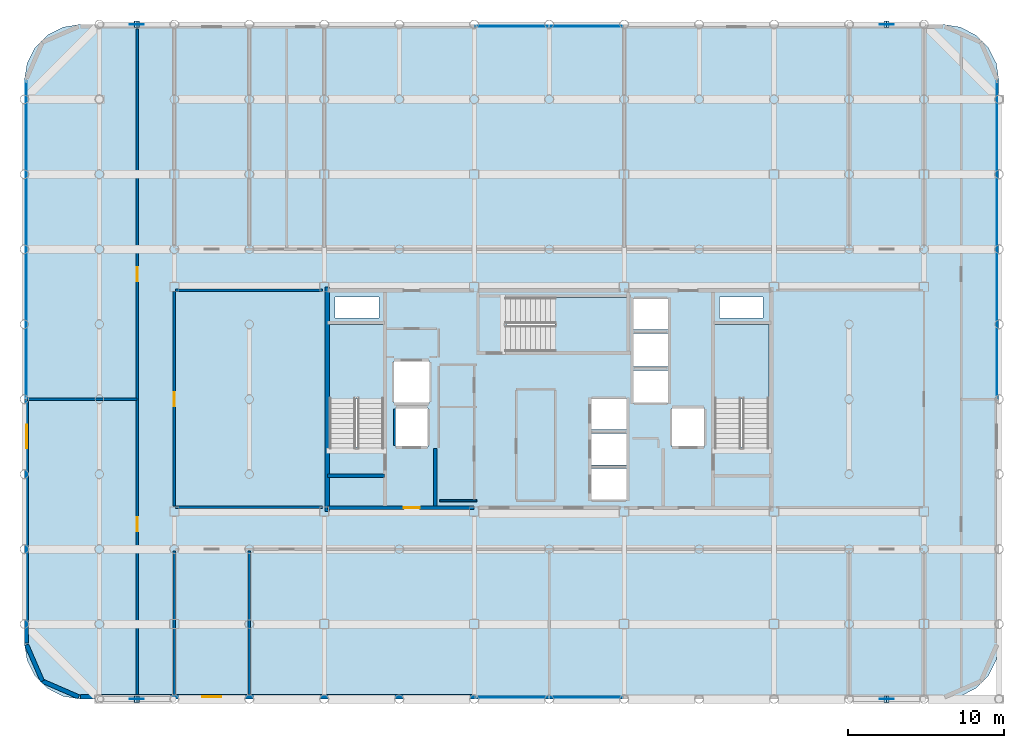
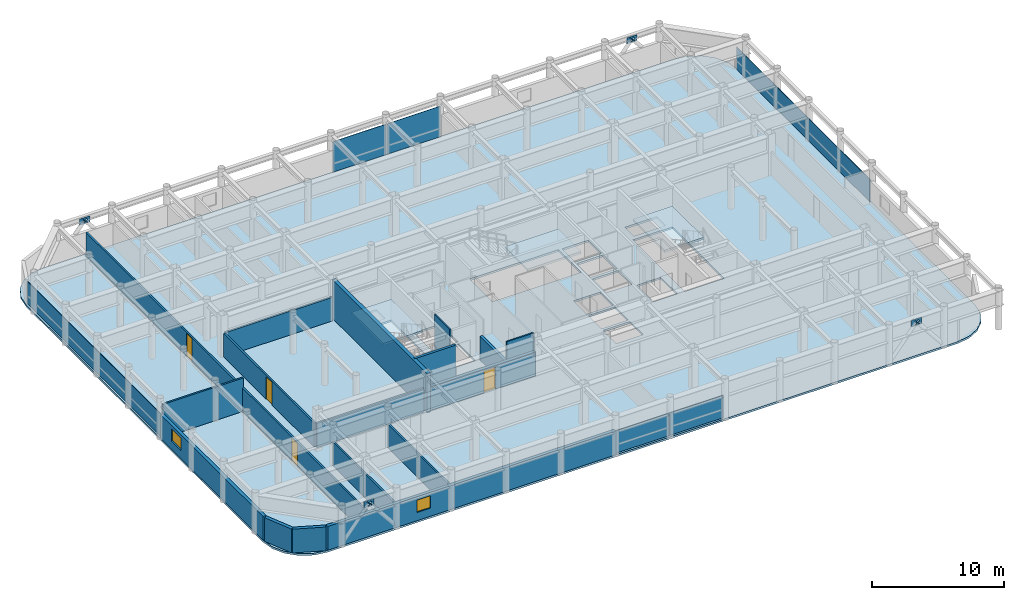
# One storey, part 17 of 21: 18 plates, 17 walls, 4 doors, 4 slabs, 2 windows, 6 openings, 7 elements without a shape of their own.
"""IFC4 building model written with IfcOpenShell, lengths in metres."""

from ifc_helpers import new_model, si_unit, direction, frame, frame_2d, origin, origin_2d, place, context, subcontext, project, spatial, polyline, rectangle, outline, extrude, material, layer, layer_set, type_object, element, fill, aggregate, save


model = new_model("IFC4")

# Units and contexts
model_context = context("Model", 3, precision=1e-05, world=origin(), true_north=direction((0.0, 1.0)))
body_context = subcontext(model_context, "Body", "Model", "MODEL_VIEW")
ifc_project = project(units=[si_unit("LENGTHUNIT", "METRE"), si_unit("AREAUNIT", "SQUARE_METRE"), si_unit("VOLUMEUNIT", "CUBIC_METRE"), si_unit("PLANEANGLEUNIT", "RADIAN"), si_unit("MASSUNIT", "GRAM", prefix="KILO")], contexts=[model_context])

# Site, building, storey
site_placement = place(None, origin())
site = spatial("IfcSite", under=ifc_project, at=site_placement, CompositionType="ELEMENT")
building_placement = place(site_placement, origin())
building = spatial("IfcBuilding", under=site, at=building_placement, Name="Kallvorn Hotel Tower", CompositionType="ELEMENT")
storey_placement = place(building_placement, frame((0.0, 0.0, 272.35009765625)))
storey = spatial("IfcBuildingStorey", under=building, at=storey_placement, Name="L68", CompositionType="ELEMENT", Elevation=272.35009765625)

# Curtain wall, plates
ifc_material_1 = material(Name="Thermally broken black-anodised aluminium AA 6063-T6", Category="aluminium")
ifc_layer_1 = layer(ifc_material_1, 0.22998046875)
ifc_layer_set_1 = layer_set([ifc_layer_1], Name="CW_SYS_5_HOTEL_HIGH")
curtain_wall_type = type_object("IfcCurtainWallType", Name="CW_SYS_5_HOTEL_HIGH", PredefinedType="USERDEFINED", material=ifc_layer_set_1)
curtain_wall_1_placement = place(storey_placement, origin())
curtain_wall_1 = element("IfcCurtainWall", 1, at=curtain_wall_1_placement, inside=storey, type_object=curtain_wall_type, Name="L68 Dark-Glass Curtain Wall CW-L68-SC", ObjectType="UNITISED CURTAIN WALL", PredefinedType="USERDEFINED")
ifc_material_2 = material(Name="Triple-glazed low-e acoustic solar-control dark glass", Category="glass")
ifc_layer_2 = layer(ifc_material_2, 0.04150390625)
ifc_layer_set_2 = layer_set([ifc_layer_2], Name="CW_SYS_5_HOTEL_HIGH_PANEL")
plate_type_1 = type_object("IfcPlateType", Name="CW_SYS_5_HOTEL_HIGH_PANEL", PredefinedType="CURTAIN_PANEL", material=ifc_layer_set_2)
plate_1_placement = place(storey_placement, frame((-2.375, -19.080078125, 0.059814453125), z_axis=(0.0, 0.0, 1.0), x_axis=(1.0, 0.0, 0.0)))
plate_1 = element("IfcPlate", 2, at=plate_1_placement, type_object=plate_type_1, Name="CW-L68-SC Vision Glass Panel 00", PredefinedType="CURTAIN_PANEL", context=body_context, shape_type="SweptSolid", body=[
    extrude(rectangle(XDim=4.68994140625, YDim=0.04150390625, at=origin_2d()), origin(), (0.0, 0.0, 1.0), 2.080078125),
])
plate_2_placement = place(storey_placement, frame((2.375, -19.080078125, 0.059814453125), z_axis=(0.0, 0.0, 1.0), x_axis=(1.0, 0.0, 0.0)))
plate_2 = element("IfcPlate", 3, at=plate_2_placement, type_object=plate_type_1, Name="CW-L68-SC Vision Glass Panel 01", PredefinedType="CURTAIN_PANEL", context=body_context, shape_type="SweptSolid", body=[
    extrude(rectangle(XDim=4.68994140625, YDim=0.04150390625, at=origin_2d()), origin(), (0.0, 0.0, 1.0), 2.080078125),
])
aggregate(curtain_wall_1, [plate_1, plate_2])

curtain_wall_2_placement = place(storey_placement, origin())
curtain_wall_2 = element("IfcCurtainWall", 4, at=curtain_wall_2_placement, inside=storey, type_object=curtain_wall_type, Name="L68 Dark-Glass Curtain Wall CW-L68-NC", ObjectType="UNITISED CURTAIN WALL", PredefinedType="USERDEFINED")
plate_3_placement = place(storey_placement, frame((-2.375, 23.8798828125, 0.059814453125), z_axis=(0.0, 0.0, 1.0), x_axis=(1.0, 0.0, 0.0)))
plate_3 = element("IfcPlate", 5, at=plate_3_placement, type_object=plate_type_1, Name="CW-L68-NC Vision Glass Panel 00", PredefinedType="CURTAIN_PANEL", context=body_context, shape_type="SweptSolid", body=[
    extrude(rectangle(XDim=4.68994140625, YDim=0.04150390625, at=origin_2d()), origin(), (0.0, 0.0, 1.0), 2.830078125),
])
plate_4_placement = place(storey_placement, frame((2.375, 23.8798828125, 0.059814453125), z_axis=(0.0, 0.0, 1.0), x_axis=(1.0, 0.0, 0.0)))
plate_4 = element("IfcPlate", 6, at=plate_4_placement, type_object=plate_type_1, Name="CW-L68-NC Vision Glass Panel 01", PredefinedType="CURTAIN_PANEL", context=body_context, shape_type="SweptSolid", body=[
    extrude(rectangle(XDim=4.68994140625, YDim=0.04150390625, at=origin_2d()), origin(), (0.0, 0.0, 1.0), 2.830078125),
])
aggregate(curtain_wall_2, [plate_3, plate_4])

# Curtain wall, plate
curtain_wall_3_placement = place(storey_placement, origin())
curtain_wall_3 = element("IfcCurtainWall", 7, at=curtain_wall_3_placement, inside=storey, type_object=curtain_wall_type, Name="L68 Dark-Glass Curtain Wall CW-L68-WN", ObjectType="UNITISED CURTAIN WALL", PredefinedType="USERDEFINED")
plate_5_placement = place(storey_placement, frame((-33.47998046875, 10.2099609375, 0.059814453125), z_axis=(0.0, 0.0, 1.0), x_axis=(0.0, 1.0, 0.0)))
plate_5 = element("IfcPlate", 8, at=plate_5_placement, type_object=plate_type_1, Name="CW-L68-WN Vision Glass Panel 00", PredefinedType="CURTAIN_PANEL", context=body_context, shape_type="SweptSolid", body=[
    extrude(rectangle(XDim=20.320068359375, YDim=0.04150390625, at=origin_2d()), origin(), (0.0, 0.0, 1.0), 2.080078125),
])
aggregate(curtain_wall_3, [plate_5])

curtain_wall_4_placement = place(storey_placement, origin())
curtain_wall_4 = element("IfcCurtainWall", 9, at=curtain_wall_4_placement, inside=storey, type_object=curtain_wall_type, Name="L68 Dark-Glass Curtain Wall CW-L68-EN", ObjectType="UNITISED CURTAIN WALL", PredefinedType="USERDEFINED")
plate_6_placement = place(storey_placement, frame((28.679931640625, 10.2099609375, 0.059814453125), z_axis=(0.0, 0.0, 1.0), x_axis=(0.0, 1.0, 0.0)))
plate_6 = element("IfcPlate", 10, at=plate_6_placement, type_object=plate_type_1, Name="CW-L68-EN Vision Glass Panel 00", PredefinedType="CURTAIN_PANEL", context=body_context, shape_type="SweptSolid", body=[
    extrude(rectangle(XDim=20.320068359375, YDim=0.04150390625, at=origin_2d()), origin(), (0.0, 0.0, 1.0), 2.080078125),
])
aggregate(curtain_wall_4, [plate_6])

# Plates
ifc_material_3 = material(Name="Structural steel S355JR", Category="steel")
ifc_layer_3 = layer(ifc_material_3, 0.030029296875)
ifc_layer_set_3 = layer_set([ifc_layer_3], Name="PLT_CAP_30")
plate_type_2 = type_object("IfcPlateType", Name="PLT_CAP_30", PredefinedType="SHEET", material=ifc_layer_set_3)
for number, where, z_axis, x_axis, name in (
    (11, (-26.23681640625, -19.40185546875, 3.0205078125), (0.629841384334, 0.0, 0.776723780105), (0.0, 1.0, 0.0), "EXO-L68-S1A End Cap Plate B"),
    (12, (-26.563232421875, -18.998046875, 3.0205078125), (-0.629841384334, 0.0, 0.776723780105), (0.0, -1.0, 0.0), "EXO-L68-S1B End Cap Plate B"),
    (13, (21.76318359375, -19.40185546875, 3.0205078125), (0.629841384334, 0.0, 0.776723780105), (0.0, 1.0, 0.0), "EXO-L68-S2A End Cap Plate B"),
    (14, (21.436767578125, -18.998046875, 3.0205078125), (-0.629841384334, 0.0, 0.776723780105), (0.0, -1.0, 0.0), "EXO-L68-S2B End Cap Plate B"),
    (15, (-26.23681640625, 23.798095703125, 3.0205078125), (0.629841384334, 0.0, 0.776723780105), (0.0, 1.0, 0.0), "EXO-L68-N1A End Cap Plate B"),
    (16, (-26.563232421875, 24.201904296875, 3.0205078125), (-0.629841384334, 0.0, 0.776723780105), (0.0, -1.0, 0.0), "EXO-L68-N1B End Cap Plate B"),
    (17, (21.76318359375, 23.798095703125, 3.0205078125), (0.629841384334, 0.0, 0.776723780105), (0.0, 1.0, 0.0), "EXO-L68-N2A End Cap Plate B"),
    (18, (21.436767578125, 24.201904296875, 3.0205078125), (-0.629841384334, 0.0, 0.776723780105), (0.0, -1.0, 0.0), "EXO-L68-N2B End Cap Plate B"),
):
    element("IfcPlate", number, at=place(storey_placement, frame(where, z_axis=z_axis, x_axis=x_axis)), inside=storey, type_object=plate_type_2, Name=name, PredefinedType="SHEET", context=body_context, shape_type="SweptSolid", body=[
        extrude(outline(polyline([(0.0, 0.0), (0.40380859375, 0.0), (0.40380859375, 0.4039025341578728), (0.0, 0.4039025341578728), (0.0, 0.0)])), origin(), (0.0, 0.0, -1.0), 0.030029296875),
    ])
ifc_material_4 = material(Name="Structural steel S355JR", Category="steel")
ifc_layer_4 = layer(ifc_material_4, 0.034912109375)
ifc_layer_set_4 = layer_set([ifc_layer_4], Name="PLT_GUSSET_35")
plate_type_3 = type_object("IfcPlateType", Name="PLT_GUSSET_35", PredefinedType="USERDEFINED", material=ifc_layer_set_4)
for number, where, z_axis, x_axis, name in (
    (19, (-26.39990234375, -19.199951171875, 2.81982421875), (0.0, 0.0, 1.0), (1.0, 0.0, 0.0), "L68 Exoskeleton Node Gusset S1"),
    (20, (21.60009765625, -19.199951171875, 2.81982421875), (0.0, 0.0, 1.0), (1.0, 0.0, 0.0), "L68 Exoskeleton Node Gusset S2"),
    (21, (-26.39990234375, 24.0, 2.81982421875), (0.0, 0.0, 1.0), (1.0, 0.0, 0.0), "L68 Exoskeleton Node Gusset N1"),
    (22, (21.60009765625, 24.0, 2.81982421875), (0.0, 0.0, 1.0), (1.0, 0.0, 0.0), "L68 Exoskeleton Node Gusset N2"),
):
    element("IfcPlate", number, at=place(storey_placement, frame(where, z_axis=z_axis, x_axis=x_axis)), inside=storey, type_object=plate_type_3, Name=name, ObjectType="GUSSET PLATE", PredefinedType="USERDEFINED", context=body_context, shape_type="SweptSolid", body=[
        extrude(rectangle(XDim=0.89990234375, YDim=0.034912109375, at=origin_2d()), origin(), (0.0, 0.0, 1.0), 0.56005859375),
    ])

# Stair, slab
ifc_material_5 = material(Name="Precast concrete C40/50", Category="concrete")
stair_type = type_object("IfcStairType", Name="STR_CORE_DOGLEG", PredefinedType="HALF_TURN_STAIR", material=ifc_material_5)
stair_1_placement = place(storey_placement, origin())
stair_1 = element("IfcStair", 23, at=stair_1_placement, inside=storey, type_object=stair_type, Name="L68 Exit stair ST1", PredefinedType="HALF_TURN_STAIR")
ifc_material_6 = material(Name="Precast concrete C40/50", Category="concrete")
ifc_layer_5 = layer(ifc_material_6, 0.179931640625)
ifc_layer_set_5 = layer_set([ifc_layer_5], Name="SLB_LANDING_180")
slab_type_1 = type_object("IfcSlabType", Name="SLB_LANDING_180", PredefinedType="LANDING", material=ifc_layer_set_5)
slab_1_placement = place(storey_placement, frame((0.0, 0.0, 1.724853515625)))
slab_1 = element("IfcSlab", 24, at=slab_1_placement, type_object=slab_type_1, Name="ST1 landing 1", PredefinedType="LANDING", context=body_context, shape_type="SweptSolid", body=[
    extrude(outline(polyline([(-10.60009765625, 0.010009765625), (-10.60009765625, 4.800048828125), (-14.06005859375, 4.800048828125), (-14.06005859375, 0.010009765625), (-10.60009765625, 0.010009765625)])), origin(), (0.0, 0.0, 1.0), 0.199951171875),
])
aggregate(stair_1, [slab_1])

stair_2_placement = place(storey_placement, origin())
stair_2 = element("IfcStair", 25, at=stair_2_placement, inside=storey, type_object=stair_type, Name="L68 Exit stair ST2", PredefinedType="HALF_TURN_STAIR")
slab_2_placement = place(storey_placement, frame((0.0, 0.0, 1.724853515625)))
slab_2 = element("IfcSlab", 26, at=slab_2_placement, type_object=slab_type_1, Name="ST2 landing 1", PredefinedType="LANDING", context=body_context, shape_type="SweptSolid", body=[
    extrude(outline(polyline([(14.06005859375, 0.010009765625), (14.06005859375, 4.800048828125), (10.60009765625, 4.800048828125), (10.60009765625, 0.010009765625), (14.06005859375, 0.010009765625)])), origin(), (0.0, 0.0, 1.0), 0.199951171875),
])
aggregate(stair_2, [slab_2])

stair_3_placement = place(storey_placement, origin())
stair_3 = element("IfcStair", 27, at=stair_3_placement, inside=storey, type_object=stair_type, Name="L68 Exit stair ST3", PredefinedType="HALF_TURN_STAIR")
slab_3_placement = place(storey_placement, frame((0.0, 0.0, 1.724853515625)))
slab_3 = element("IfcSlab", 28, at=slab_3_placement, type_object=slab_type_1, Name="ST3 landing 1", PredefinedType="LANDING", context=body_context, shape_type="SweptSolid", body=[
    extrude(outline(polyline([(0.360107421875, 3.050048828125), (5.050048828125, 3.050048828125), (5.050048828125, 6.510009765625), (0.360107421875, 6.510009765625), (0.360107421875, 3.050048828125)])), origin(), (0.0, 0.0, 1.0), 0.199951171875),
])
aggregate(stair_3, [slab_3])

# Slab
ifc_material_7 = material(Name="Concrete C40/50", Category="concrete")
ifc_layer_6 = layer(ifc_material_7, 0.179931640625)
ifc_layer_set_6 = layer_set([ifc_layer_6], Name="SLB_TOWER_180")
slab_type_2 = type_object("IfcSlabType", Name="SLB_TOWER_180", PredefinedType="FLOOR", material=ifc_layer_set_6)
slab_4_placement = place(storey_placement, frame((0.0, 0.0, -0.18017578125)))
element("IfcSlab", 29, at=slab_4_placement, inside=storey, type_object=slab_type_2, Name="L68 Structural Floor Slab", PredefinedType="FLOOR", context=body_context, shape_type="SweptSolid", body=[
    extrude(outline(polyline([(25.199951171875, -19.199951171875), (26.3125, -19.023681640625), (27.31591796875, -18.512451171875), (28.112548828125, -17.716064453125), (28.623779296875, -16.71240234375), (28.800048828125, -15.60009765625), (28.800048828125, 20.39990234375), (28.623779296875, 21.512451171875), (28.112548828125, 22.51611328125), (27.31591796875, 23.3125), (26.3125, 23.82373046875), (25.199951171875, 24.0), (-30.0, 24.0), (-31.112548828125, 23.82373046875), (-32.115966796875, 23.3125), (-32.91259765625, 22.51611328125), (-33.423828125, 21.512451171875), (-33.60009765625, 20.39990234375), (-33.60009765625, -15.60009765625), (-33.423828125, -16.71240234375), (-32.91259765625, -17.716064453125), (-32.115966796875, -18.512451171875), (-31.112548828125, -19.023681640625), (-30.0, -19.199951171875), (25.199951171875, -19.199951171875)]), holes=[polyline([(-10.60009765625, -3.070068359375), (-10.60009765625, 4.800048828125), (-14.06005859375, 4.800048828125), (-14.06005859375, -3.070068359375), (-10.60009765625, -3.070068359375)]), polyline([(14.06005859375, -3.070068359375), (14.06005859375, 4.800048828125), (10.60009765625, 4.800048828125), (10.60009765625, -3.070068359375), (14.06005859375, -3.070068359375)]), polyline([(-2.719970703125, 3.050048828125), (5.050048828125, 3.050048828125), (5.050048828125, 6.510009765625), (-2.719970703125, 6.510009765625), (-2.719970703125, 3.050048828125)]), polyline([(2.64990234375, -6.449951171875), (5.0, -6.449951171875), (5.0, -4.449951171875), (2.64990234375, -4.449951171875), (2.64990234375, -6.449951171875)]), polyline([(2.64990234375, -4.199951171875), (5.0, -4.199951171875), (5.0, -2.199951171875), (2.64990234375, -2.199951171875), (2.64990234375, -4.199951171875)]), polyline([(2.64990234375, -1.949951171875), (5.0, -1.949951171875), (5.0, 0.050048828125), (2.64990234375, 0.050048828125), (2.64990234375, -1.949951171875)]), polyline([(5.35009765625, -0.25), (7.64990234375, -0.25), (7.64990234375, 1.85009765625), (5.35009765625, 1.85009765625), (5.35009765625, -0.25)]), polyline([(5.35009765625, 2.10009765625), (7.64990234375, 2.10009765625), (7.64990234375, 4.199951171875), (5.35009765625, 4.199951171875), (5.35009765625, 2.10009765625)]), polyline([(5.35009765625, 4.449951171875), (7.64990234375, 4.449951171875), (7.64990234375, 6.449951171875), (5.35009765625, 6.449951171875), (5.35009765625, 4.449951171875)]), polyline([(-9.85009765625, -3.050048828125), (-7.75, -3.050048828125), (-7.75, -0.550048828125), (-9.85009765625, -0.550048828125), (-9.85009765625, -3.050048828125)]), polyline([(7.85009765625, -3.050048828125), (9.949951171875, -3.050048828125), (9.949951171875, -0.550048828125), (7.85009765625, -0.550048828125), (7.85009765625, -3.050048828125)]), polyline([(-9.949951171875, -0.25), (-7.64990234375, -0.25), (-7.64990234375, 2.449951171875), (-9.949951171875, 2.449951171875), (-9.949951171875, -0.25)]), polyline([(-13.699951171875, 5.199951171875), (-10.89990234375, 5.199951171875), (-10.89990234375, 6.550048828125), (-13.699951171875, 6.550048828125), (-13.699951171875, 5.199951171875)]), polyline([(10.89990234375, 5.199951171875), (13.699951171875, 5.199951171875), (13.699951171875, 6.550048828125), (10.89990234375, 6.550048828125), (10.89990234375, 5.199951171875)])]), origin(), (0.0, 0.0, 1.0), 0.18017578125),
])

# Walls
ifc_material_8 = material(Name="Concrete C50/60", Category="concrete")
ifc_layer_7 = layer(ifc_material_8, 0.300048828125)
ifc_layer_set_7 = layer_set([ifc_layer_7], Name="WL_CORE_300")
wall_type_1 = type_object("IfcWallType", Name="WL_CORE_300", PredefinedType="SHEAR", material=ifc_layer_set_7)
wall_1_placement = place(storey_placement, frame((-14.215087890625, -7.199951171875, -0.18017578125), z_axis=(0.0, 0.0, 1.0), x_axis=(0.0, 1.0, 0.0)))
element("IfcWall", 30, at=wall_1_placement, inside=storey, type_object=wall_type_1, Name="L68 Core West Shear Wall", PredefinedType="SHEAR", context=body_context, shape_type="SweptSolid", body=[
    extrude(rectangle(XDim=14.39990234375, YDim=0.300048828125, at=frame_2d((7.199951171875, 0.0))), origin(), (0.0, 0.0, 1.0), 3.780029296875),
])
ifc_material_9 = material(Name="Precast basalt-clad insulated concrete wall C40/50", Category="masonry")
ifc_layer_8 = layer(ifc_material_9, 0.280029296875)
ifc_layer_set_8 = layer_set([ifc_layer_8], Name="WL_EXT_LOGGIA_280")
wall_type_2 = type_object("IfcWallType", Name="WL_EXT_LOGGIA_280", PredefinedType="SOLIDWALL", material=ifc_layer_set_8)
wall_2_placement = place(storey_placement, frame((-33.4580078125, -15.720703125, 0.0), z_axis=(0.0, 0.0, 1.0), x_axis=(0.398792985289, -0.917040977756, 0.0)))
element("IfcWall", 31, at=wall_2_placement, inside=storey, type_object=wall_type_2, Name="L68 Rounded Corner Exterior Wall SW1", PredefinedType="SOLIDWALL", context=body_context, shape_type="SweptSolid", body=[
    extrude(rectangle(XDim=2.536376953125, YDim=0.280029296875, at=frame_2d((1.26806640625, 0.0))), origin(), (0.0, 0.0, 1.0), 2.199951171875),
])
wall_3_placement = place(storey_placement, frame((-32.446533203125, -18.046630859375, 0.0), z_axis=(0.0, 0.0, 1.0), x_axis=(0.917060872934, -0.398747232384, 0.0)))
element("IfcWall", 32, at=wall_3_placement, inside=storey, type_object=wall_type_2, Name="L68 Rounded Corner Exterior Wall SW2", PredefinedType="SOLIDWALL", context=body_context, shape_type="SweptSolid", body=[
    extrude(rectangle(XDim=2.5361328125, YDim=0.280029296875, at=frame_2d((1.26806640625, 0.0))), origin(), (0.0, 0.0, 1.0), 2.199951171875),
])

# Wall, opening, window
wall_4_placement = place(storey_placement, frame((-30.0, -19.06005859375, 0.0), z_axis=(0.0, 0.0, 1.0), x_axis=(1.0, 0.0, 0.0)))
wall_4 = element("IfcWall", 33, at=wall_4_placement, inside=storey, type_object=wall_type_2, Name="L68 Exterior Envelope Wall EW-L68-SW", PredefinedType="SOLIDWALL", context=body_context, shape_type="SweptSolid", body=[
    extrude(rectangle(XDim=25.25, YDim=0.280029296875, at=frame_2d((12.625, 0.0))), origin(), (0.0, 0.0, 1.0), 2.199951171875),
])
opening_1_placement = place(wall_4_placement, frame((7.800048828125, 0.0, 0.75)))
opening_1 = element("IfcOpeningElement", 34, at=opening_1_placement, cuts=wall_4, Name="Opening W06A", PredefinedType="OPENING", context=body_context, shape_type="SweptSolid", body=[
    extrude(rectangle(XDim=1.199951171875, YDim=1.14990234375, at=frame_2d((0.60009765625, 0.574951171875))), frame((0.0, 0.155029296875, 0.0), z_axis=(0.0, -1.0, 0.0), x_axis=(1.0, 0.0, 0.0)), (0.0, 0.0, 1.0), 0.31005859375),
])
ifc_material_10 = material(Name="Triple-glazed low-e acoustic solar-control dark glass", Category="glass")
window_type_1 = type_object("IfcWindowType", Name="WN_HTL_1200x1150", PartitioningType="SINGLE_PANEL", PredefinedType="WINDOW", material=ifc_material_10)
window_1_placement = place(opening_1_placement, origin())
window_1 = element("IfcWindow", 35, at=window_1_placement, inside=storey, type_object=window_type_1, Name="L68 Guestroom Exterior Window 01", OverallHeight=1.14990234375, OverallWidth=1.199951171875, PartitioningType="SINGLE_PANEL", PredefinedType="WINDOW", context=body_context, shape_type="SweptSolid", body=[
    extrude(rectangle(XDim=1.199951171875, YDim=1.14990234375, at=frame_2d((0.60009765625, 0.574951171875))), frame((0.0, 0.030029296875, 0.0), z_axis=(0.0, -1.0, 0.0), x_axis=(1.0, 0.0, 0.0)), (0.0, 0.0, 1.0), 0.06005859375),
])
fill(opening_1, window_1)

wall_5_placement = place(storey_placement, frame((-33.4599609375, -15.60009765625, 0.0), z_axis=(0.0, 0.0, 1.0), x_axis=(0.0, 1.0, 0.0)))
wall_5 = element("IfcWall", 36, at=wall_5_placement, inside=storey, type_object=wall_type_2, Name="L68 Exterior Envelope Wall EW-L68-WS", PredefinedType="SOLIDWALL", context=body_context, shape_type="SweptSolid", body=[
    extrude(rectangle(XDim=15.580078125, YDim=0.280029296875, at=frame_2d((7.7900390625, 0.0))), origin(), (0.0, 0.0, 1.0), 2.199951171875),
])
opening_2_placement = place(wall_5_placement, frame((12.449951171875, 0.0, 0.75)))
opening_2 = element("IfcOpeningElement", 37, at=opening_2_placement, cuts=wall_5, Name="Opening W05A", PredefinedType="OPENING", context=body_context, shape_type="SweptSolid", body=[
    extrude(rectangle(XDim=1.5, YDim=1.14990234375, at=frame_2d((0.75, 0.574951171875))), frame((0.0, 0.155029296875, 0.0), z_axis=(0.0, -1.0, 0.0), x_axis=(1.0, 0.0, 0.0)), (0.0, 0.0, 1.0), 0.31005859375),
])
ifc_material_11 = material(Name="Double-glazed low-e solar-control dark glass", Category="glass")
window_type_2 = type_object("IfcWindowType", Name="WN_HTL_1500x1150", PartitioningType="SINGLE_PANEL", PredefinedType="WINDOW", material=ifc_material_11)
window_2_placement = place(opening_2_placement, origin())
window_2 = element("IfcWindow", 38, at=window_2_placement, inside=storey, type_object=window_type_2, Name="L68 Flank Wing Window 03", OverallHeight=1.14990234375, OverallWidth=1.5, PartitioningType="SINGLE_PANEL", PredefinedType="WINDOW", context=body_context, shape_type="SweptSolid", body=[
    extrude(rectangle(XDim=1.5, YDim=1.14990234375, at=frame_2d((0.75, 0.574951171875))), frame((0.0, 0.030029296875, 0.0), z_axis=(0.0, -1.0, 0.0), x_axis=(1.0, 0.0, 0.0)), (0.0, 0.0, 1.0), 0.06005859375),
])
fill(opening_2, window_2)

# Walls
ifc_material_12 = material(Name="Concrete C40/50", Category="concrete")
ifc_layer_9 = layer(ifc_material_12, 0.219970703125)
ifc_layer_set_9 = layer_set([ifc_layer_9], Name="WL_FFL_220")
wall_type_3 = type_object("IfcWallType", Name="WL_FFL_220", PredefinedType="SOLIDWALL", material=ifc_layer_set_9)
wall_6_placement = place(storey_placement, frame((-7.300048828125, -6.820068359375, 0.0), z_axis=(0.0, 0.0, 1.0), x_axis=(0.0, 1.0, 0.0)))
element("IfcWall", 39, at=wall_6_placement, inside=storey, type_object=wall_type_3, Name="L68 Firefighting Lobby West Divider Wall", PredefinedType="SOLIDWALL", context=body_context, shape_type="SweptSolid", body=[
    extrude(rectangle(XDim=3.670166015625, YDim=0.219970703125, at=frame_2d((1.8349609375, 0.0))), origin(), (0.0, 0.0, 1.0), 2.199951171875),
])
ifc_material_13 = material(Name="Concrete C40/50", Category="concrete")
ifc_layer_10 = layer(ifc_material_13, 0.199951171875)
ifc_layer_set_10 = layer_set([ifc_layer_10], Name="WL_HOIST_200")
wall_type_4 = type_object("IfcWallType", Name="WL_HOIST_200", PredefinedType="SOLIDWALL", material=ifc_layer_set_10)
wall_7_placement = place(storey_placement, frame((-14.199951171875, -4.89990234375, -0.18017578125), z_axis=(0.0, 0.0, 1.0), x_axis=(1.0, 0.0, 0.0)))
element("IfcWall", 40, at=wall_7_placement, inside=storey, type_object=wall_type_4, Name="L68 Stair ST1 South Wall", PredefinedType="SOLIDWALL", context=body_context, shape_type="SweptSolid", body=[
    extrude(rectangle(XDim=3.64990234375, YDim=0.199951171875, at=frame_2d((1.824951171875, 0.0))), origin(), (0.0, 0.0, 1.0), 3.780029296875),
])
ifc_material_14 = material(Name="Fire-rated double-layer acoustic gypsum drywall EI 60")
ifc_layer_11 = layer(ifc_material_14, 0.1201171875)
ifc_layer_set_11 = layer_set([ifc_layer_11], Name="WL_INT_120")
wall_type_5 = type_object("IfcWallType", Name="WL_INT_120", PredefinedType="PARTITIONING", material=ifc_layer_set_11)
wall_8_placement = place(storey_placement, frame((-9.89990234375, -2.9599609375, 0.0), z_axis=(0.0, 0.0, 1.0), x_axis=(0.0, 1.0, 0.0)))
element("IfcWall", 41, at=wall_8_placement, inside=storey, type_object=wall_type_5, Name="L68 FL-1 West Shaft Wall", PredefinedType="PARTITIONING", context=body_context, shape_type="SweptSolid", body=[
    extrude(rectangle(XDim=2.320068359375, YDim=0.1201171875, at=frame_2d((1.16015625, 0.0))), origin(), (0.0, 0.0, 1.0), 3.599853515625),
])
wall_9_placement = place(storey_placement, frame((-7.0, -6.5, 0.0), z_axis=(0.0, 0.0, 1.0), x_axis=(1.0, 0.0, 0.0)))
element("IfcWall", 42, at=wall_9_placement, inside=storey, type_object=wall_type_5, Name="L68 Recaptured Full-Depth Sommelier Store Partition", PredefinedType="PARTITIONING", context=body_context, shape_type="SweptSolid", body=[
    extrude(rectangle(XDim=2.35009765625, YDim=0.1201171875, at=frame_2d((1.175048828125, 0.0))), origin(), (0.0, 0.0, 1.0), 3.599853515625),
])
ifc_material_15 = material(Name="Fire-rated double-layer acoustic gypsum drywall EI 60")
ifc_layer_12 = layer(ifc_material_15, 0.14990234375)
ifc_layer_set_12 = layer_set([ifc_layer_12], Name="WL_PART_150")
wall_type_6 = type_object("IfcWallType", Name="WL_PART_150", PredefinedType="PARTITIONING", material=ifc_layer_set_12)
wall_10_placement = place(storey_placement, frame((-23.919921875, -6.919921875, 0.0), z_axis=(0.0, 0.0, 1.0), x_axis=(1.0, 0.0, 0.0)))
element("IfcWall", 43, at=wall_10_placement, inside=storey, type_object=wall_type_6, Name="L68 L68 High-Zone Inner West Club Bar Partition", PredefinedType="PARTITIONING", context=body_context, shape_type="SweptSolid", body=[
    extrude(rectangle(XDim=9.39990234375, YDim=0.14990234375, at=frame_2d((4.699951171875, 0.0))), origin(), (0.0, 0.0, 1.0), 2.199951171875),
])
wall_11_placement = place(storey_placement, frame((-33.429931640625, 0.0, 0.0), z_axis=(0.0, 0.0, 1.0), x_axis=(1.0, 0.0, 0.0)))
element("IfcWall", 44, at=wall_11_placement, inside=storey, type_object=wall_type_6, Name="L68 L68 Outer West North Fitness Club Partition", PredefinedType="PARTITIONING", context=body_context, shape_type="SweptSolid", body=[
    extrude(rectangle(XDim=7.050048828125, YDim=0.14990234375, at=frame_2d((3.52490234375, 0.0))), origin(), (0.0, 0.0, 1.0), 3.099853515625),
])
wall_12_placement = place(storey_placement, frame((-23.919921875, 6.97998046875, 0.0), z_axis=(0.0, 0.0, 1.0), x_axis=(1.0, 0.0, 0.0)))
element("IfcWall", 45, at=wall_12_placement, inside=storey, type_object=wall_type_6, Name="L68 L68 High-Zone Inner West Club Bar Partition", PredefinedType="PARTITIONING", context=body_context, shape_type="SweptSolid", body=[
    extrude(rectangle(XDim=9.39990234375, YDim=0.14990234375, at=frame_2d((4.699951171875, 0.0))), origin(), (0.0, 0.0, 1.0), 2.199951171875),
])

# Wall, openings, doors
wall_13_placement = place(storey_placement, frame((-26.3798828125, -18.909912109375, 0.0), z_axis=(0.0, 0.0, 1.0), x_axis=(0.0, 1.0, 0.0)))
wall_13 = element("IfcWall", 46, at=wall_13_placement, inside=storey, type_object=wall_type_6, Name="L68 L68 Outer West South Cocktail Bar Partition", PredefinedType="PARTITIONING", context=body_context, shape_type="SweptSolid", body=[
    extrude(rectangle(XDim=42.619873046875, YDim=0.14990234375, at=frame_2d((21.31005859375, 0.0))), origin(), (0.0, 0.0, 1.0), 2.199951171875),
])
opening_3_placement = place(wall_13_placement, frame((10.4599609375, 0.0, 0.0)))
opening_3 = element("IfcOpeningElement", 47, at=opening_3_placement, cuts=wall_13, Name="Opening SVD1", PredefinedType="OPENING", context=body_context, shape_type="SweptSolid", body=[
    extrude(rectangle(XDim=0.89990234375, YDim=2.10009765625, at=frame_2d((0.449951171875, 1.050048828125))), frame((0.0, 0.08984375, 0.0), z_axis=(0.0, -1.0, 0.0), x_axis=(1.0, 0.0, 0.0)), (0.0, 0.0, 1.0), 0.179931640625),
])
opening_4_placement = place(wall_13_placement, frame((26.4599609375, 0.0, 0.0)))
opening_4 = element("IfcOpeningElement", 48, at=opening_4_placement, cuts=wall_13, Name="Opening SVD1", PredefinedType="OPENING", context=body_context, shape_type="SweptSolid", body=[
    extrude(rectangle(XDim=0.89990234375, YDim=2.10009765625, at=frame_2d((0.449951171875, 1.050048828125))), frame((0.0, 0.08984375, 0.0), z_axis=(0.0, -1.0, 0.0), x_axis=(1.0, 0.0, 0.0)), (0.0, 0.0, 1.0), 0.179931640625),
])
ifc_material_16 = material(Name="Galvanised painted steel fire-rated door assembly", Category="steel")
door_type_1 = type_object("IfcDoorType", Name="DR_SERV_900x2100", OperationType="NOTDEFINED", PredefinedType="DOOR", material=ifc_material_16)
door_1_placement = place(opening_3_placement, origin())
door_1 = element("IfcDoor", 49, at=door_1_placement, inside=storey, type_object=door_type_1, Name="L68 L68 Outer West South Cocktail Bar Door", OperationType="SINGLE_SWING_RIGHT", OverallHeight=2.10009765625, OverallWidth=0.89990234375, PredefinedType="DOOR", context=body_context, shape_type="SweptSolid", body=[
    extrude(rectangle(XDim=0.89990234375, YDim=2.10009765625, at=frame_2d((0.449951171875, 1.050048828125))), frame((0.0, 0.02490234375, 0.0), z_axis=(0.0, -1.0, 0.0), x_axis=(1.0, 0.0, 0.0)), (0.0, 0.0, 1.0), 0.050048828125),
])
fill(opening_3, door_1)
door_2_placement = place(opening_4_placement, origin())
door_2 = element("IfcDoor", 50, at=door_2_placement, inside=storey, type_object=door_type_1, Name="L68 L68 Outer West North Fitness Club Door", OperationType="SINGLE_SWING_RIGHT", OverallHeight=2.10009765625, OverallWidth=0.89990234375, PredefinedType="DOOR", context=body_context, shape_type="SweptSolid", body=[
    extrude(rectangle(XDim=0.89990234375, YDim=2.10009765625, at=frame_2d((0.449951171875, 1.050048828125))), frame((0.0, 0.02490234375, 0.0), z_axis=(0.0, -1.0, 0.0), x_axis=(1.0, 0.0, 0.0)), (0.0, 0.0, 1.0), 0.050048828125),
])
fill(opening_4, door_2)

# Wall
wall_14_placement = place(storey_placement, frame((-24.0, -18.909912109375, 0.0), z_axis=(0.0, 0.0, 1.0), x_axis=(0.0, 1.0, 0.0)))
element("IfcWall", 51, at=wall_14_placement, inside=storey, type_object=wall_type_6, Name="L68 L68 High-Zone South-West Tea Bar Partition", PredefinedType="PARTITIONING", context=body_context, shape_type="SweptSolid", body=[
    extrude(rectangle(XDim=9.18994140625, YDim=0.14990234375, at=frame_2d((4.594970703125, 0.0))), origin(), (0.0, 0.0, 1.0), 2.199951171875),
])

# Wall, opening, door
wall_15_placement = place(storey_placement, frame((-24.0, -6.8349609375, 0.0), z_axis=(0.0, 0.0, 1.0), x_axis=(0.0, 1.0, 0.0)))
wall_15 = element("IfcWall", 52, at=wall_15_placement, inside=storey, type_object=wall_type_6, Name="L68 L68 High-Zone Inner West Club Bar Partition", PredefinedType="PARTITIONING", context=body_context, shape_type="SweptSolid", body=[
    extrude(rectangle(XDim=13.72998046875, YDim=0.14990234375, at=frame_2d((6.864990234375, 0.0))), origin(), (0.0, 0.0, 1.0), 2.199951171875),
])
opening_5_placement = place(wall_15_placement, frame((6.385009765625, 0.0, 0.0)))
opening_5 = element("IfcOpeningElement", 53, at=opening_5_placement, cuts=wall_15, Name="Opening SVD1", PredefinedType="OPENING", context=body_context, shape_type="SweptSolid", body=[
    extrude(rectangle(XDim=0.89990234375, YDim=2.10009765625, at=frame_2d((0.449951171875, 1.050048828125))), frame((0.0, 0.08984375, 0.0), z_axis=(0.0, -1.0, 0.0), x_axis=(1.0, 0.0, 0.0)), (0.0, 0.0, 1.0), 0.179931640625),
])
door_3_placement = place(opening_5_placement, origin())
door_3 = element("IfcDoor", 54, at=door_3_placement, inside=storey, type_object=door_type_1, Name="L68 L68 High-Zone Inner West Club Bar Door", OperationType="SINGLE_SWING_LEFT", OverallHeight=2.10009765625, OverallWidth=0.89990234375, PredefinedType="DOOR", context=body_context, shape_type="SweptSolid", body=[
    extrude(rectangle(XDim=0.89990234375, YDim=2.10009765625, at=frame_2d((0.449951171875, 1.050048828125))), frame((0.0, 0.02490234375, 0.0), z_axis=(0.0, -1.0, 0.0), x_axis=(1.0, 0.0, 0.0)), (0.0, 0.0, 1.0), 0.050048828125),
])
fill(opening_5, door_3)

# Wall
wall_16_placement = place(storey_placement, frame((-19.199951171875, -18.909912109375, 0.0), z_axis=(0.0, 0.0, 1.0), x_axis=(0.0, 1.0, 0.0)))
element("IfcWall", 55, at=wall_16_placement, inside=storey, type_object=wall_type_6, Name="L68 L68 High-Zone South-West Tea Bar Partition", PredefinedType="PARTITIONING", context=body_context, shape_type="SweptSolid", body=[
    extrude(rectangle(XDim=9.18994140625, YDim=0.14990234375, at=frame_2d((4.594970703125, 0.0))), origin(), (0.0, 0.0, 1.0), 2.199951171875),
])

# Wall, opening, door
ifc_material_17 = material(Name="Concrete C40/50", Category="concrete")
ifc_layer_13 = layer(ifc_material_17, 0.25)
ifc_layer_set_13 = layer_set([ifc_layer_13], Name="WL_SHAFT_250")
wall_type_7 = type_object("IfcWallType", Name="WL_SHAFT_250", PredefinedType="SOLIDWALL", material=ifc_layer_set_13)
wall_17_placement = place(storey_placement, frame((-14.199951171875, -6.949951171875, 0.0), z_axis=(0.0, 0.0, 1.0), x_axis=(1.0, 0.0, 0.0)))
wall_17 = element("IfcWall", 56, at=wall_17_placement, inside=storey, type_object=wall_type_7, Name="L68 Core South-West Wall", PredefinedType="SOLIDWALL", context=body_context, shape_type="SweptSolid", body=[
    extrude(rectangle(XDim=9.39990234375, YDim=0.25, at=frame_2d((4.699951171875, 0.0))), origin(), (0.0, 0.0, 1.0), 2.199951171875),
])
opening_6_placement = place(wall_17_placement, frame((4.89990234375, 0.0, 0.0)))
opening_6 = element("IfcOpeningElement", 57, at=opening_6_placement, cuts=wall_17, Name="Opening FD1A", PredefinedType="OPENING", context=body_context, shape_type="SweptSolid", body=[
    extrude(rectangle(XDim=1.0, YDim=2.02001953125, at=frame_2d((0.5, 1.010009765625))), frame((0.0, 0.139892578125, 0.0), z_axis=(0.0, -1.0, 0.0), x_axis=(1.0, 0.0, 0.0)), (0.0, 0.0, 1.0), 0.280029296875),
])
ifc_material_18 = material(Name="Galvanised painted steel fire-rated door assembly", Category="steel")
door_type_2 = type_object("IfcDoorType", Name="DR_FFL_1000x2020", OperationType="NOTDEFINED", PredefinedType="DOOR", material=ifc_material_18)
door_4_placement = place(opening_6_placement, origin())
door_4 = element("IfcDoor", 58, at=door_4_placement, inside=storey, type_object=door_type_2, Name="L68 Firefighting Lobby West Door", OperationType="SINGLE_SWING_LEFT", OverallHeight=2.02001953125, OverallWidth=1.0, PredefinedType="DOOR", context=body_context, shape_type="SweptSolid", body=[
    extrude(rectangle(XDim=1.0, YDim=2.02001953125, at=frame_2d((0.5, 1.010009765625))), frame((0.0, 0.02490234375, 0.0), z_axis=(0.0, -1.0, 0.0), x_axis=(1.0, 0.0, 0.0)), (0.0, 0.0, 1.0), 0.050048828125),
])
fill(opening_6, door_4)

save(model, "model.ifc")
